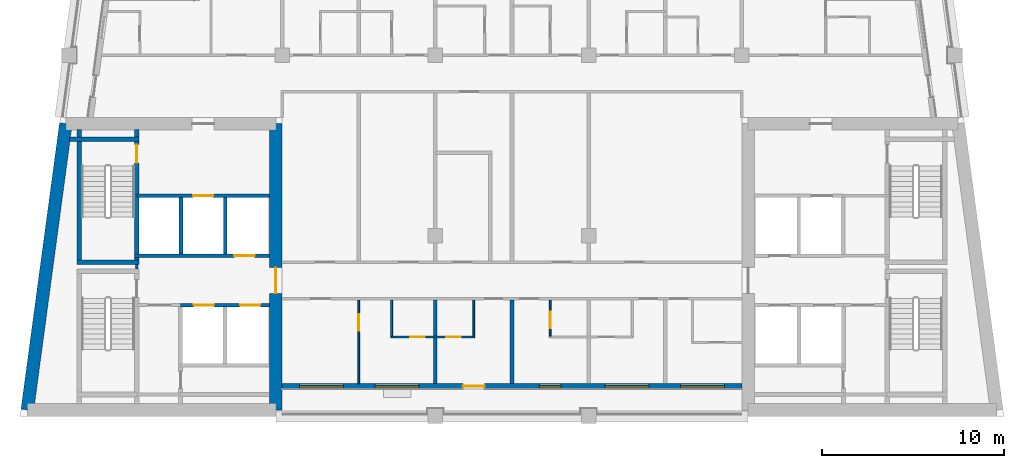
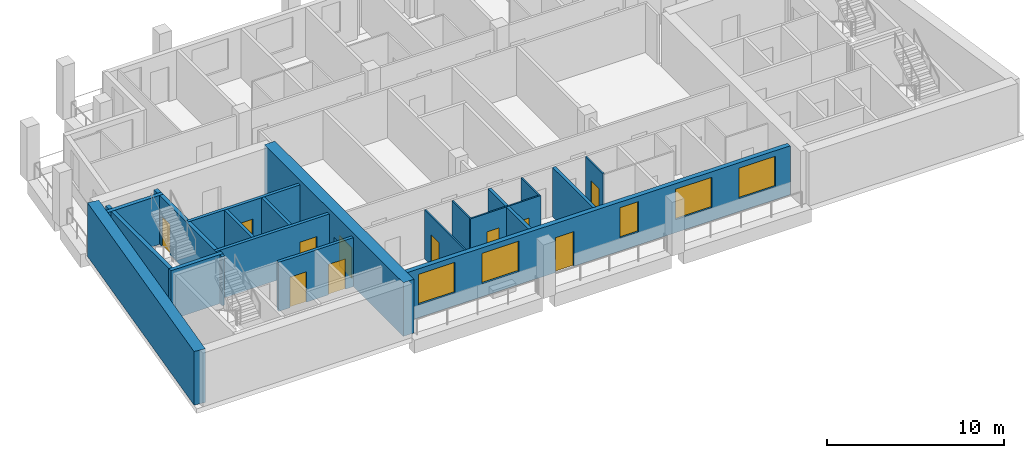
# One storey, part 2 of 10: 20 walls, 11 doors, 5 windows, 16 openings.
"""IFC4 building model written with IfcOpenShell, lengths in metres."""

from ifc_helpers import new_model, si_unit, direction, frame, frame_2d, origin, place, context, subcontext, project, spatial, rectangle, extrude, material, layer, layer_set, type_object, element, fill, save


model = new_model("IFC4")

# Units and contexts
model_context = context("Model", 3, precision=1e-05, world=origin(), true_north=direction((0.0, 1.0)))
body_context = subcontext(model_context, "Body", "Model", "MODEL_VIEW")
ifc_project = project(units=[si_unit("LENGTHUNIT", "METRE"), si_unit("AREAUNIT", "SQUARE_METRE"), si_unit("VOLUMEUNIT", "CUBIC_METRE"), si_unit("PLANEANGLEUNIT", "RADIAN"), si_unit("MASSUNIT", "GRAM", prefix="KILO")], contexts=[model_context])

# Site, building, storey
site_placement = place(None, origin())
site = spatial("IfcSite", under=ifc_project, at=site_placement, CompositionType="ELEMENT")
building_placement = place(site_placement, origin())
building = spatial("IfcBuilding", under=site, at=building_placement, Name="Candeia Pilgrim Tower and Theatre", CompositionType="ELEMENT")
storey_placement = place(building_placement, frame((0.0, 0.0, 292.300048828125)))
storey = spatial("IfcBuildingStorey", under=building, at=storey_placement, Name="L71", CompositionType="ELEMENT", Elevation=292.300048828125)

# Wall, opening, door
ifc_material_1 = material(Name="Concrete C40/50", Category="concrete")
ifc_layer_1 = layer(ifc_material_1, 0.699951171875)
ifc_layer_set_1 = layer_set([ifc_layer_1], Name="Core wall 700 C40/50")
wall_type_1 = type_object("IfcWallType", Name="Core wall 700 C40/50", PredefinedType="SHEAR", material=ifc_layer_set_1)
wall_1_placement = place(storey_placement, frame((100.449951171875, 132.050048828125, 0.0), z_axis=(0.0, 0.0, 1.0), x_axis=(0.0, -1.0, 0.0)))
wall_1 = element("IfcWall", 1, at=wall_1_placement, inside=storey, type_object=wall_type_1, Name="Core wall W2", PredefinedType="SHEAR", context=body_context, shape_type="SweptSolid", body=[
    extrude(rectangle(XDim=15.699951171875, YDim=0.699951171875, at=frame_2d((7.85009765625, 0.0))), origin(), (0.0, 0.0, 1.0), 3.699951171875),
])
opening_1_placement = place(wall_1_placement, frame((7.89990234375, 0.0, 0.0)))
opening_1 = element("IfcOpeningElement", 2, at=opening_1_placement, cuts=wall_1, Name="Opening L71-D045", PredefinedType="OPENING", context=body_context, shape_type="SweptSolid", body=[
    extrude(rectangle(XDim=1.39990234375, YDim=2.10009765625, at=frame_2d((0.699951171875, 1.050048828125))), frame((0.0, 0.35986328125, 0.0), z_axis=(0.0, -1.0, 0.0), x_axis=(1.0, 0.0, 0.0)), (0.0, 0.0, 1.0), 0.719970703125),
])
ifc_material_2 = material(Name="Steel fire door set", Category="steel")
door_type_1 = type_object("IfcDoorType", Name="D-1400-FD60", OperationType="NOTDEFINED", PredefinedType="DOOR", material=ifc_material_2)
door_1_placement = place(opening_1_placement, origin())
door_1 = element("IfcDoor", 3, at=door_1_placement, inside=storey, type_object=door_type_1, Name="Door L71-D045", OperationType="SINGLE_SWING_RIGHT", OverallHeight=2.10009765625, OverallWidth=1.39990234375, PredefinedType="DOOR", context=body_context, shape_type="SweptSolid", body=[
    extrude(rectangle(XDim=1.39990234375, YDim=2.10009765625, at=frame_2d((0.699951171875, 1.050048828125))), frame((0.0, 0.02490234375, 0.0), z_axis=(0.0, -1.0, 0.0), x_axis=(1.0, 0.0, 0.0)), (0.0, 0.0, 1.0), 0.050048828125),
])
fill(opening_1, door_1)

# Wall
wall_2_placement = place(storey_placement, frame((86.8232421875, 116.35009765625, 0.0), z_axis=(0.0, 0.0, 1.0), x_axis=(0.133416378607, 0.99106007382, 0.0)))
element("IfcWall", 4, at=wall_2_placement, inside=storey, type_object=wall_type_1, Name="Core wall W4", PredefinedType="SHEAR", context=body_context, shape_type="SweptSolid", body=[
    extrude(rectangle(XDim=15.841552734375, YDim=0.699951171875, at=frame_2d((7.9208984375, 0.0))), origin(), (0.0, 0.0, 1.0), 3.699951171875),
])

# Wall, openings, door, windows
ifc_material_3 = material(Name="Ceramic block masonry", Category="masonry")
ifc_layer_2 = layer(ifc_material_3, 0.300048828125)
ifc_layer_set_2 = layer_set([ifc_layer_2], Name="EW1 glazing-line wall 300")
wall_type_2 = type_object("IfcWallType", Name="EW1 glazing-line wall 300", PredefinedType="SOLIDWALL", material=ifc_layer_set_2)
wall_3_placement = place(storey_placement, frame((100.800048828125, 117.64990234375, 0.0), z_axis=(0.0, 0.0, 1.0), x_axis=(1.0, 0.0, 0.0)))
wall_3 = element("IfcWall", 5, at=wall_3_placement, inside=storey, type_object=wall_type_2, Name="External wall L71-1.0", PredefinedType="SOLIDWALL", context=body_context, shape_type="SweptSolid", body=[
    extrude(rectangle(XDim=25.199951171875, YDim=0.300048828125, at=frame_2d((12.60009765625, 0.0))), origin(), (0.0, 0.0, 1.0), 3.3798828125),
])
opening_2_placement = place(wall_3_placement, frame((0.949951171875, 0.0, 0.89990234375)))
opening_2 = element("IfcOpeningElement", 6, at=opening_2_placement, cuts=wall_3, Name="Opening W-A", PredefinedType="OPENING", context=body_context, shape_type="SweptSolid", body=[
    extrude(rectangle(XDim=2.39990234375, YDim=2.10009765625, at=frame_2d((1.199951171875, 1.050048828125))), frame((0.0, 0.16015625, 0.0), z_axis=(0.0, -1.0, 0.0), x_axis=(1.0, 0.0, 0.0)), (0.0, 0.0, 1.0), 0.320068359375),
])
opening_3_placement = place(wall_3_placement, frame((5.10009765625, 0.0, 0.89990234375)))
opening_3 = element("IfcOpeningElement", 7, at=opening_3_placement, cuts=wall_3, Name="Opening W-A", PredefinedType="OPENING", context=body_context, shape_type="SweptSolid", body=[
    extrude(rectangle(XDim=2.39990234375, YDim=2.10009765625, at=frame_2d((1.199951171875, 1.050048828125))), frame((0.0, 0.16015625, 0.0), z_axis=(0.0, -1.0, 0.0), x_axis=(1.0, 0.0, 0.0)), (0.0, 0.0, 1.0), 0.320068359375),
])
opening_4_placement = place(wall_3_placement, frame((9.89990234375, 0.0, 0.0)))
opening_4 = element("IfcOpeningElement", 8, at=opening_4_placement, cuts=wall_3, Name="Opening L71-ED661", PredefinedType="OPENING", context=body_context, shape_type="SweptSolid", body=[
    extrude(rectangle(XDim=1.199951171875, YDim=2.39990234375, at=frame_2d((0.60009765625, 1.199951171875))), frame((0.0, 0.16015625, 0.0), z_axis=(0.0, -1.0, 0.0), x_axis=(1.0, 0.0, 0.0)), (0.0, 0.0, 1.0), 0.320068359375),
])
opening_5_placement = place(wall_3_placement, frame((14.10009765625, 0.0, 0.89990234375)))
opening_5 = element("IfcOpeningElement", 9, at=opening_5_placement, cuts=wall_3, Name="Opening W-B", PredefinedType="OPENING", context=body_context, shape_type="SweptSolid", body=[
    extrude(rectangle(XDim=1.199951171875, YDim=2.10009765625, at=frame_2d((0.60009765625, 1.050048828125))), frame((0.0, 0.16015625, 0.0), z_axis=(0.0, -1.0, 0.0), x_axis=(1.0, 0.0, 0.0)), (0.0, 0.0, 1.0), 0.320068359375),
])
opening_6_placement = place(wall_3_placement, frame((17.699951171875, 0.0, 0.89990234375)))
opening_6 = element("IfcOpeningElement", 10, at=opening_6_placement, cuts=wall_3, Name="Opening W-A", PredefinedType="OPENING", context=body_context, shape_type="SweptSolid", body=[
    extrude(rectangle(XDim=2.39990234375, YDim=2.10009765625, at=frame_2d((1.199951171875, 1.050048828125))), frame((0.0, 0.16015625, 0.0), z_axis=(0.0, -1.0, 0.0), x_axis=(1.0, 0.0, 0.0)), (0.0, 0.0, 1.0), 0.320068359375),
])
opening_7_placement = place(wall_3_placement, frame((21.85009765625, 0.0, 0.89990234375)))
opening_7 = element("IfcOpeningElement", 11, at=opening_7_placement, cuts=wall_3, Name="Opening W-A", PredefinedType="OPENING", context=body_context, shape_type="SweptSolid", body=[
    extrude(rectangle(XDim=2.39990234375, YDim=2.10009765625, at=frame_2d((1.199951171875, 1.050048828125))), frame((0.0, 0.16015625, 0.0), z_axis=(0.0, -1.0, 0.0), x_axis=(1.0, 0.0, 0.0)), (0.0, 0.0, 1.0), 0.320068359375),
])
ifc_material_4 = material(Name="Aluminium framed glazed door", Category="aluminium")
door_type_2 = type_object("IfcDoorType", Name="Loggia door 1200x2400", OperationType="DOUBLE_DOOR_SINGLE_SWING", PredefinedType="DOOR", material=ifc_material_4)
door_2_placement = place(opening_4_placement, origin())
door_2 = element("IfcDoor", 12, at=door_2_placement, inside=storey, type_object=door_type_2, Name="Loggia door L71-ED661", OperationType="DOUBLE_DOOR_SINGLE_SWING", OverallHeight=2.39990234375, OverallWidth=1.199951171875, PredefinedType="DOOR", context=body_context, shape_type="SweptSolid", body=[
    extrude(rectangle(XDim=1.199951171875, YDim=2.39990234375, at=frame_2d((0.60009765625, 1.199951171875))), frame((0.0, 0.02490234375, 0.0), z_axis=(0.0, -1.0, 0.0), x_axis=(1.0, 0.0, 0.0)), (0.0, 0.0, 1.0), 0.050048828125),
])
fill(opening_4, door_2)
ifc_material_5 = material(Name="Aluminium framed double glazing", Category="aluminium")
window_type_1 = type_object("IfcWindowType", Name="W-A window 2400x2100", PartitioningType="DOUBLE_PANEL_VERTICAL", PredefinedType="WINDOW", material=ifc_material_5)
window_1_placement = place(opening_2_placement, origin())
window_1 = element("IfcWindow", 13, at=window_1_placement, inside=storey, type_object=window_type_1, Name="Window W-A L71", OverallHeight=2.10009765625, OverallWidth=2.39990234375, PartitioningType="SINGLE_PANEL", PredefinedType="WINDOW", context=body_context, shape_type="SweptSolid", body=[
    extrude(rectangle(XDim=2.39990234375, YDim=2.10009765625, at=frame_2d((1.199951171875, 1.050048828125))), frame((0.0, 0.030029296875, 0.0), z_axis=(0.0, -1.0, 0.0), x_axis=(1.0, 0.0, 0.0)), (0.0, 0.0, 1.0), 0.06005859375),
])
fill(opening_2, window_1)
window_2_placement = place(opening_3_placement, origin())
window_2 = element("IfcWindow", 14, at=window_2_placement, inside=storey, type_object=window_type_1, Name="Window W-A L71", OverallHeight=2.10009765625, OverallWidth=2.39990234375, PartitioningType="SINGLE_PANEL", PredefinedType="WINDOW", context=body_context, shape_type="SweptSolid", body=[
    extrude(rectangle(XDim=2.39990234375, YDim=2.10009765625, at=frame_2d((1.199951171875, 1.050048828125))), frame((0.0, 0.030029296875, 0.0), z_axis=(0.0, -1.0, 0.0), x_axis=(1.0, 0.0, 0.0)), (0.0, 0.0, 1.0), 0.06005859375),
])
fill(opening_3, window_2)
window_3_placement = place(opening_6_placement, origin())
window_3 = element("IfcWindow", 15, at=window_3_placement, inside=storey, type_object=window_type_1, Name="Window W-A L71", OverallHeight=2.10009765625, OverallWidth=2.39990234375, PartitioningType="SINGLE_PANEL", PredefinedType="WINDOW", context=body_context, shape_type="SweptSolid", body=[
    extrude(rectangle(XDim=2.39990234375, YDim=2.10009765625, at=frame_2d((1.199951171875, 1.050048828125))), frame((0.0, 0.030029296875, 0.0), z_axis=(0.0, -1.0, 0.0), x_axis=(1.0, 0.0, 0.0)), (0.0, 0.0, 1.0), 0.06005859375),
])
fill(opening_6, window_3)
window_4_placement = place(opening_7_placement, origin())
window_4 = element("IfcWindow", 16, at=window_4_placement, inside=storey, type_object=window_type_1, Name="Window W-A L71", OverallHeight=2.10009765625, OverallWidth=2.39990234375, PartitioningType="SINGLE_PANEL", PredefinedType="WINDOW", context=body_context, shape_type="SweptSolid", body=[
    extrude(rectangle(XDim=2.39990234375, YDim=2.10009765625, at=frame_2d((1.199951171875, 1.050048828125))), frame((0.0, 0.030029296875, 0.0), z_axis=(0.0, -1.0, 0.0), x_axis=(1.0, 0.0, 0.0)), (0.0, 0.0, 1.0), 0.06005859375),
])
fill(opening_7, window_4)
window_type_2 = type_object("IfcWindowType", Name="W-B window 1200x2100", PartitioningType="SINGLE_PANEL", PredefinedType="WINDOW", material=ifc_material_5)
window_5_placement = place(opening_5_placement, origin())
window_5 = element("IfcWindow", 17, at=window_5_placement, inside=storey, type_object=window_type_2, Name="Window W-B L71", OverallHeight=2.10009765625, OverallWidth=1.199951171875, PartitioningType="SINGLE_PANEL", PredefinedType="WINDOW", context=body_context, shape_type="SweptSolid", body=[
    extrude(rectangle(XDim=1.199951171875, YDim=2.10009765625, at=frame_2d((0.60009765625, 1.050048828125))), frame((0.0, 0.030029296875, 0.0), z_axis=(0.0, -1.0, 0.0), x_axis=(1.0, 0.0, 0.0)), (0.0, 0.0, 1.0), 0.06005859375),
])
fill(opening_5, window_5)

# Wall, openings, doors
ifc_material_6 = material(Name="Gypsum board partition on steel studs", Category="steel")
ifc_layer_3 = layer(ifc_material_6, 0.10009765625)
ifc_layer_set_3 = layer_set([ifc_layer_3], Name="PW-100 room partition")
wall_type_3 = type_object("IfcWallType", Name="PW-100 room partition", PredefinedType="PARTITIONING", material=ifc_layer_set_3)
wall_4_placement = place(storey_placement, frame((106.75, 120.35009765625, 0.0), z_axis=(0.0, 0.0, 1.0), x_axis=(1.0, 0.0, 0.0)))
wall_4 = element("IfcWall", 18, at=wall_4_placement, inside=storey, type_object=wall_type_3, Name="Room partition L71-010", PredefinedType="PARTITIONING", context=body_context, shape_type="SweptSolid", body=[
    extrude(rectangle(XDim=4.60009765625, YDim=0.10009765625, at=frame_2d((2.300048828125, 0.0))), origin(), (0.0, 0.0, 1.0), 3.3798828125),
])
opening_8_placement = place(wall_4_placement, frame((1.074951171875, 0.0, 0.0)))
opening_8 = element("IfcOpeningElement", 19, at=opening_8_placement, cuts=wall_4, Name="Opening L71-D011", PredefinedType="OPENING", context=body_context, shape_type="SweptSolid", body=[
    extrude(rectangle(XDim=0.800048828125, YDim=2.10009765625, at=frame_2d((0.39990234375, 1.050048828125))), frame((0.0, 0.06005859375, 0.0), z_axis=(0.0, -1.0, 0.0), x_axis=(1.0, 0.0, 0.0)), (0.0, 0.0, 1.0), 0.1201171875),
])
opening_9_placement = place(wall_4_placement, frame((3.0400390625, 0.0, 0.0)))
opening_9 = element("IfcOpeningElement", 20, at=opening_9_placement, cuts=wall_4, Name="Opening L71-D013", PredefinedType="OPENING", context=body_context, shape_type="SweptSolid", body=[
    extrude(rectangle(XDim=0.800048828125, YDim=2.10009765625, at=frame_2d((0.39990234375, 1.050048828125))), frame((0.0, 0.06005859375, 0.0), z_axis=(0.0, -1.0, 0.0), x_axis=(1.0, 0.0, 0.0)), (0.0, 0.0, 1.0), 0.1201171875),
])
ifc_material_7 = material(Name="Timber door leaf", Category="wood")
door_type_3 = type_object("IfcDoorType", Name="D-800", OperationType="NOTDEFINED", PredefinedType="DOOR", material=ifc_material_7)
door_3_placement = place(opening_8_placement, origin())
door_3 = element("IfcDoor", 21, at=door_3_placement, inside=storey, type_object=door_type_3, Name="Door L71-D011", OperationType="SINGLE_SWING_RIGHT", OverallHeight=2.10009765625, OverallWidth=0.800048828125, PredefinedType="DOOR", context=body_context, shape_type="SweptSolid", body=[
    extrude(rectangle(XDim=0.800048828125, YDim=2.10009765625, at=frame_2d((0.39990234375, 1.050048828125))), frame((0.0, 0.02490234375, 0.0), z_axis=(0.0, -1.0, 0.0), x_axis=(1.0, 0.0, 0.0)), (0.0, 0.0, 1.0), 0.050048828125),
])
fill(opening_8, door_3)
door_4_placement = place(opening_9_placement, origin())
door_4 = element("IfcDoor", 22, at=door_4_placement, inside=storey, type_object=door_type_3, Name="Door L71-D013", OperationType="SINGLE_SWING_RIGHT", OverallHeight=2.10009765625, OverallWidth=0.800048828125, PredefinedType="DOOR", context=body_context, shape_type="SweptSolid", body=[
    extrude(rectangle(XDim=0.800048828125, YDim=2.10009765625, at=frame_2d((0.39990234375, 1.050048828125))), frame((0.0, 0.02490234375, 0.0), z_axis=(0.0, -1.0, 0.0), x_axis=(1.0, 0.0, 0.0)), (0.0, 0.0, 1.0), 0.050048828125),
])
fill(opening_9, door_4)

# Wall, opening, door
wall_5_placement = place(storey_placement, frame((105.0, 117.7900390625, 0.0), z_axis=(0.0, 0.0, 1.0), x_axis=(0.0, 1.0, 0.0)))
wall_5 = element("IfcWall", 23, at=wall_5_placement, inside=storey, type_object=wall_type_3, Name="Room partition L71-054", PredefinedType="PARTITIONING", context=body_context, shape_type="SweptSolid", body=[
    extrude(rectangle(XDim=4.5849609375, YDim=0.10009765625, at=frame_2d((2.29248046875, 0.0))), origin(), (0.0, 0.0, 1.0), 3.3798828125),
])
opening_10_placement = place(wall_5_placement, frame((2.907958984375, 0.0, 0.0)))
opening_10 = element("IfcOpeningElement", 24, at=opening_10_placement, cuts=wall_5, Name="Opening L71-D010", PredefinedType="OPENING", context=body_context, shape_type="SweptSolid", body=[
    extrude(rectangle(XDim=0.89990234375, YDim=2.10009765625, at=frame_2d((0.449951171875, 1.050048828125))), frame((0.0, 0.06005859375, 0.0), z_axis=(0.0, -1.0, 0.0), x_axis=(1.0, 0.0, 0.0)), (0.0, 0.0, 1.0), 0.1201171875),
])
door_type_4 = type_object("IfcDoorType", Name="D-900", OperationType="NOTDEFINED", PredefinedType="DOOR", material=ifc_material_7)
door_5_placement = place(opening_10_placement, origin())
door_5 = element("IfcDoor", 25, at=door_5_placement, inside=storey, type_object=door_type_4, Name="Door L71-D010", OperationType="SINGLE_SWING_LEFT", OverallHeight=2.10009765625, OverallWidth=0.89990234375, PredefinedType="DOOR", context=body_context, shape_type="SweptSolid", body=[
    extrude(rectangle(XDim=0.89990234375, YDim=2.10009765625, at=frame_2d((0.449951171875, 1.050048828125))), frame((0.0, 0.02490234375, 0.0), z_axis=(0.0, -1.0, 0.0), x_axis=(1.0, 0.0, 0.0)), (0.0, 0.0, 1.0), 0.050048828125),
])
fill(opening_10, door_5)

# Walls
for number, where, z_axis, x_axis, name in (
    (26, (106.800048828125, 120.39990234375, 0.0), (0.0, 0.0, 1.0), (0.0, 1.0, 0.0), "Room partition L71-057"),
    (27, (111.300048828125, 120.39990234375, 0.0), (0.0, 0.0, 1.0), (0.0, 1.0, 0.0), "Room partition L71-062"),
):
    element("IfcWall", number, at=place(storey_placement, frame(where, z_axis=z_axis, x_axis=x_axis)), inside=storey, type_object=wall_type_3, Name=name, PredefinedType="PARTITIONING", context=body_context, shape_type="SweptSolid", body=[
        extrude(rectangle(XDim=1.97509765625, YDim=0.10009765625, at=frame_2d((0.987548828125, 0.0))), origin(), (0.0, 0.0, 1.0), 3.3798828125),
    ])

# Wall, opening, door
wall_6_placement = place(storey_placement, frame((115.5, 120.39990234375, 0.0), z_axis=(0.0, 0.0, 1.0), x_axis=(0.0, 1.0, 0.0)))
wall_6 = element("IfcWall", 28, at=wall_6_placement, inside=storey, type_object=wall_type_3, Name="Room partition L71-068", PredefinedType="PARTITIONING", context=body_context, shape_type="SweptSolid", body=[
    extrude(rectangle(XDim=1.97509765625, YDim=0.10009765625, at=frame_2d((0.987548828125, 0.0))), origin(), (0.0, 0.0, 1.0), 3.3798828125),
])
opening_11_placement = place(wall_6_placement, frame((0.425048828125, 0.0, 0.0)))
opening_11 = element("IfcOpeningElement", 29, at=opening_11_placement, cuts=wall_6, Name="Opening L71-D015", PredefinedType="OPENING", context=body_context, shape_type="SweptSolid", body=[
    extrude(rectangle(XDim=0.89990234375, YDim=2.10009765625, at=frame_2d((0.449951171875, 1.050048828125))), frame((0.0, 0.06005859375, 0.0), z_axis=(0.0, -1.0, 0.0), x_axis=(1.0, 0.0, 0.0)), (0.0, 0.0, 1.0), 0.1201171875),
])
door_6_placement = place(opening_11_placement, origin())
door_6 = element("IfcDoor", 30, at=door_6_placement, inside=storey, type_object=door_type_4, Name="Door L71-D015", OperationType="SINGLE_SWING_RIGHT", OverallHeight=2.10009765625, OverallWidth=0.89990234375, PredefinedType="DOOR", context=body_context, shape_type="SweptSolid", body=[
    extrude(rectangle(XDim=0.89990234375, YDim=2.10009765625, at=frame_2d((0.449951171875, 1.050048828125))), frame((0.0, 0.02490234375, 0.0), z_axis=(0.0, -1.0, 0.0), x_axis=(1.0, 0.0, 0.0)), (0.0, 0.0, 1.0), 0.050048828125),
])
fill(opening_11, door_6)

# Walls
ifc_layer_4 = layer(ifc_material_6, 0.14990234375)
ifc_layer_set_4 = layer_set([ifc_layer_4], Name="PW-150 lobby wall")
wall_type_4 = type_object("IfcWallType", Name="PW-150 lobby wall", PredefinedType="PARTITIONING", material=ifc_layer_set_4)
wall_7_placement = place(storey_placement, frame((92.826904296875, 124.074951171875, 0.0), z_axis=(0.0, 0.0, 1.0), x_axis=(0.0, 1.0, 0.0)))
element("IfcWall", 31, at=wall_7_placement, inside=storey, type_object=wall_type_4, Name="Lobby wall L71-042", PredefinedType="PARTITIONING", context=body_context, shape_type="SweptSolid", body=[
    extrude(rectangle(XDim=0.25, YDim=0.14990234375, at=frame_2d((0.125, 0.0))), origin(), (0.0, 0.0, 1.0), 3.3798828125),
])
ifc_layer_5 = layer(ifc_material_6, 0.199951171875)
ifc_layer_set_5 = layer_set([ifc_layer_5], Name="PW-200 party wall")
wall_type_5 = type_object("IfcWallType", Name="PW-200 party wall", PredefinedType="PARTITIONING", material=ifc_layer_set_5)
for number, where, z_axis, x_axis, name in (
    (32, (109.199951171875, 117.7900390625, 0.0), (0.0, 0.0, 1.0), (0.0, 1.0, 0.0), "Party wall L71-059"),
    (33, (113.39990234375, 117.7900390625, 0.0), (0.0, 0.0, 1.0), (0.0, 1.0, 0.0), "Party wall L71-065"),
):
    element("IfcWall", number, at=place(storey_placement, frame(where, z_axis=z_axis, x_axis=x_axis)), inside=storey, type_object=wall_type_5, Name=name, PredefinedType="PARTITIONING", context=body_context, shape_type="SweptSolid", body=[
        extrude(rectangle(XDim=4.5849609375, YDim=0.199951171875, at=frame_2d((2.29248046875, 0.0))), origin(), (0.0, 0.0, 1.0), 3.3798828125),
    ])

# Wall, openings, doors
ifc_layer_6 = layer(ifc_material_1, 0.199951171875)
ifc_layer_set_6 = layer_set([ifc_layer_6], Name="SW-200 shaft wall")
wall_type_6 = type_object("IfcWallType", Name="SW-200 shaft wall", PredefinedType="PARTITIONING", material=ifc_layer_set_6)
wall_8_placement = place(storey_placement, frame((95.22705078125, 122.10009765625, 0.0), z_axis=(0.0, 0.0, 1.0), x_axis=(1.0, 0.0, 0.0)))
wall_8 = element("IfcWall", 34, at=wall_8_placement, inside=storey, type_object=wall_type_6, Name="Shaft wall L71-012", PredefinedType="PARTITIONING", context=body_context, shape_type="SweptSolid", body=[
    extrude(rectangle(XDim=4.873046875, YDim=0.199951171875, at=frame_2d((2.4365234375, 0.0))), origin(), (0.0, 0.0, 1.0), 3.3798828125),
])
opening_12_placement = place(wall_8_placement, frame((0.73193359375, 0.0, 0.0)))
opening_12 = element("IfcOpeningElement", 35, at=opening_12_placement, cuts=wall_8, Name="Opening L71-LD01", PredefinedType="OPENING", context=body_context, shape_type="SweptSolid", body=[
    extrude(rectangle(XDim=1.10009765625, YDim=2.10009765625, at=frame_2d((0.550048828125, 1.050048828125))), frame((0.0, 0.10986328125, 0.0), z_axis=(0.0, -1.0, 0.0), x_axis=(1.0, 0.0, 0.0)), (0.0, 0.0, 1.0), 0.219970703125),
])
opening_13_placement = place(wall_8_placement, frame((3.263916015625, 0.0, 0.0)))
opening_13 = element("IfcOpeningElement", 36, at=opening_13_placement, cuts=wall_8, Name="Opening L71-LD02", PredefinedType="OPENING", context=body_context, shape_type="SweptSolid", body=[
    extrude(rectangle(XDim=1.10009765625, YDim=2.10009765625, at=frame_2d((0.550048828125, 1.050048828125))), frame((0.0, 0.10986328125, 0.0), z_axis=(0.0, -1.0, 0.0), x_axis=(1.0, 0.0, 0.0)), (0.0, 0.0, 1.0), 0.219970703125),
])
ifc_material_8 = material(Name="Glazed aluminium landing door", Category="aluminium")
door_type_5 = type_object("IfcDoorType", Name="LD-1100-EI120", OperationType="SLIDING_TO_LEFT", PredefinedType="DOOR", material=ifc_material_8)
door_7_placement = place(opening_12_placement, origin())
door_7 = element("IfcDoor", 37, at=door_7_placement, inside=storey, type_object=door_type_5, Name="Landing door 01 L71", OperationType="SLIDING_TO_LEFT", OverallHeight=2.10009765625, OverallWidth=1.10009765625, PredefinedType="DOOR", context=body_context, shape_type="SweptSolid", body=[
    extrude(rectangle(XDim=1.10009765625, YDim=2.10009765625, at=frame_2d((0.550048828125, 1.050048828125))), frame((0.0, 0.02490234375, 0.0), z_axis=(0.0, -1.0, 0.0), x_axis=(1.0, 0.0, 0.0)), (0.0, 0.0, 1.0), 0.050048828125),
])
fill(opening_12, door_7)
door_8_placement = place(opening_13_placement, origin())
door_8 = element("IfcDoor", 38, at=door_8_placement, inside=storey, type_object=door_type_5, Name="Landing door 02 L71", OperationType="SLIDING_TO_LEFT", OverallHeight=2.10009765625, OverallWidth=1.10009765625, PredefinedType="DOOR", context=body_context, shape_type="SweptSolid", body=[
    extrude(rectangle(XDim=1.10009765625, YDim=2.10009765625, at=frame_2d((0.550048828125, 1.050048828125))), frame((0.0, 0.02490234375, 0.0), z_axis=(0.0, -1.0, 0.0), x_axis=(1.0, 0.0, 0.0)), (0.0, 0.0, 1.0), 0.050048828125),
])
fill(opening_13, door_8)

# Wall, opening, door
wall_9_placement = place(storey_placement, frame((92.701904296875, 124.800048828125, 0.0), z_axis=(0.0, 0.0, 1.0), x_axis=(1.0, 0.0, 0.0)))
wall_9 = element("IfcWall", 39, at=wall_9_placement, inside=storey, type_object=wall_type_6, Name="Shaft wall L71-022", PredefinedType="PARTITIONING", context=body_context, shape_type="SweptSolid", body=[
    extrude(rectangle(XDim=7.398193359375, YDim=0.199951171875, at=frame_2d((3.69921875, 0.0))), origin(), (0.0, 0.0, 1.0), 3.3798828125),
])
opening_14_placement = place(wall_9_placement, frame((5.47998046875, 0.0, 0.0)))
opening_14 = element("IfcOpeningElement", 40, at=opening_14_placement, cuts=wall_9, Name="Opening L71-LD04", PredefinedType="OPENING", context=body_context, shape_type="SweptSolid", body=[
    extrude(rectangle(XDim=1.10009765625, YDim=2.10009765625, at=frame_2d((0.550048828125, 1.050048828125))), frame((0.0, 0.10986328125, 0.0), z_axis=(0.0, -1.0, 0.0), x_axis=(1.0, 0.0, 0.0)), (0.0, 0.0, 1.0), 0.219970703125),
])
door_9_placement = place(opening_14_placement, origin())
door_9 = element("IfcDoor", 41, at=door_9_placement, inside=storey, type_object=door_type_5, Name="Landing door 04 L71", OperationType="SLIDING_TO_LEFT", OverallHeight=2.10009765625, OverallWidth=1.10009765625, PredefinedType="DOOR", context=body_context, shape_type="SweptSolid", body=[
    extrude(rectangle(XDim=1.10009765625, YDim=2.10009765625, at=frame_2d((0.550048828125, 1.050048828125))), frame((0.0, 0.02490234375, 0.0), z_axis=(0.0, -1.0, 0.0), x_axis=(1.0, 0.0, 0.0)), (0.0, 0.0, 1.0), 0.050048828125),
])
fill(opening_14, door_9)

wall_10_placement = place(storey_placement, frame((92.826904296875, 128.10009765625, 0.0), z_axis=(0.0, 0.0, 1.0), x_axis=(1.0, 0.0, 0.0)))
wall_10 = element("IfcWall", 42, at=wall_10_placement, inside=storey, type_object=wall_type_6, Name="Shaft wall L71-025", PredefinedType="PARTITIONING", context=body_context, shape_type="SweptSolid", body=[
    extrude(rectangle(XDim=7.273193359375, YDim=0.199951171875, at=frame_2d((3.63671875, 0.0))), origin(), (0.0, 0.0, 1.0), 3.3798828125),
])
opening_15_placement = place(wall_10_placement, frame((3.0859375, 0.0, 0.0)))
opening_15 = element("IfcOpeningElement", 43, at=opening_15_placement, cuts=wall_10, Name="Opening L71-LD03", PredefinedType="OPENING", context=body_context, shape_type="SweptSolid", body=[
    extrude(rectangle(XDim=1.10009765625, YDim=2.10009765625, at=frame_2d((0.550048828125, 1.050048828125))), frame((0.0, 0.10986328125, 0.0), z_axis=(0.0, -1.0, 0.0), x_axis=(1.0, 0.0, 0.0)), (0.0, 0.0, 1.0), 0.219970703125),
])
door_10_placement = place(opening_15_placement, origin())
door_10 = element("IfcDoor", 44, at=door_10_placement, inside=storey, type_object=door_type_5, Name="Landing door 03 L71", OperationType="SLIDING_TO_LEFT", OverallHeight=2.10009765625, OverallWidth=1.10009765625, PredefinedType="DOOR", context=body_context, shape_type="SweptSolid", body=[
    extrude(rectangle(XDim=1.10009765625, YDim=2.10009765625, at=frame_2d((0.550048828125, 1.050048828125))), frame((0.0, 0.02490234375, 0.0), z_axis=(0.0, -1.0, 0.0), x_axis=(1.0, 0.0, 0.0)), (0.0, 0.0, 1.0), 0.050048828125),
])
fill(opening_15, door_10)

# Walls
for number, where, z_axis, x_axis, name in (
    (45, (95.251220703125, 124.89990234375, 0.0), (0.0, 0.0, 1.0), (0.0, 1.0, 0.0), "Shaft wall L71-047"),
    (46, (97.67578125, 124.89990234375, 0.0), (0.0, 0.0, 1.0), (0.0, 1.0, 0.0), "Shaft wall L71-050"),
):
    element("IfcWall", number, at=place(storey_placement, frame(where, z_axis=z_axis, x_axis=x_axis)), inside=storey, type_object=wall_type_6, Name=name, PredefinedType="PARTITIONING", context=body_context, shape_type="SweptSolid", body=[
        extrude(rectangle(XDim=3.10009765625, YDim=0.199951171875, at=frame_2d((1.550048828125, 0.0))), origin(), (0.0, 0.0, 1.0), 3.3798828125),
    ])
ifc_layer_7 = layer(ifc_material_1, 0.25)
ifc_layer_set_7 = layer_set([ifc_layer_7], Name="SW-250 stair wall")
wall_type_7 = type_object("IfcWallType", Name="SW-250 stair wall", PredefinedType="PARTITIONING", material=ifc_layer_set_7)
wall_11_placement = place(storey_placement, frame((89.552001953125, 124.449951171875, 0.0), z_axis=(0.0, 0.0, 1.0), x_axis=(1.0, 0.0, 0.0)))
element("IfcWall", 47, at=wall_11_placement, inside=storey, type_object=wall_type_7, Name="Stair wall L71-019", PredefinedType="PARTITIONING", context=body_context, shape_type="SweptSolid", body=[
    extrude(rectangle(XDim=3.39990234375, YDim=0.25, at=frame_2d((1.699951171875, 0.0))), origin(), (0.0, 0.0, 1.0), 3.3798828125),
])
wall_12_placement = place(storey_placement, frame((89.1455078125, 131.199951171875, 0.0), z_axis=(0.0, 0.0, 1.0), x_axis=(1.0, 0.0, 0.0)))
element("IfcWall", 48, at=wall_12_placement, inside=storey, type_object=wall_type_7, Name="Stair wall L71-029", PredefinedType="PARTITIONING", context=body_context, shape_type="SweptSolid", body=[
    extrude(rectangle(XDim=3.806396484375, YDim=0.25, at=frame_2d((1.9033203125, 0.0))), origin(), (0.0, 0.0, 1.0), 3.3798828125),
])
wall_13_placement = place(storey_placement, frame((89.677001953125, 124.574951171875, 0.0), z_axis=(0.0, 0.0, 1.0), x_axis=(0.0, 1.0, 0.0)))
element("IfcWall", 49, at=wall_13_placement, inside=storey, type_object=wall_type_7, Name="Stair wall L71-041", PredefinedType="PARTITIONING", context=body_context, shape_type="SweptSolid", body=[
    extrude(rectangle(XDim=7.155029296875, YDim=0.25, at=frame_2d((3.57763671875, 0.0))), origin(), (0.0, 0.0, 1.0), 3.3798828125),
])

# Wall, opening, door
wall_14_placement = place(storey_placement, frame((92.826904296875, 124.574951171875, 0.0), z_axis=(0.0, 0.0, 1.0), x_axis=(0.0, 1.0, 0.0)))
wall_14 = element("IfcWall", 50, at=wall_14_placement, inside=storey, type_object=wall_type_7, Name="Stair wall L71-044", PredefinedType="PARTITIONING", context=body_context, shape_type="SweptSolid", body=[
    extrude(rectangle(XDim=7.155029296875, YDim=0.25, at=frame_2d((3.57763671875, 0.0))), origin(), (0.0, 0.0, 1.0), 3.3798828125),
])
opening_16_placement = place(wall_14_placement, frame((5.324951171875, 0.0, 0.0)))
opening_16 = element("IfcOpeningElement", 51, at=opening_16_placement, cuts=wall_14, Name="Opening L71-D003", PredefinedType="OPENING", context=body_context, shape_type="SweptSolid", body=[
    extrude(rectangle(XDim=1.0, YDim=2.10009765625, at=frame_2d((0.5, 1.050048828125))), frame((0.0, 0.135009765625, 0.0), z_axis=(0.0, -1.0, 0.0), x_axis=(1.0, 0.0, 0.0)), (0.0, 0.0, 1.0), 0.27001953125),
])
door_type_6 = type_object("IfcDoorType", Name="D-1000-FD60", OperationType="NOTDEFINED", PredefinedType="DOOR", material=ifc_material_2)
door_11_placement = place(opening_16_placement, origin())
door_11 = element("IfcDoor", 52, at=door_11_placement, inside=storey, type_object=door_type_6, Name="Door L71-D003", OperationType="SINGLE_SWING_RIGHT", OverallHeight=2.10009765625, OverallWidth=1.0, PredefinedType="DOOR", context=body_context, shape_type="SweptSolid", body=[
    extrude(rectangle(XDim=1.0, YDim=2.10009765625, at=frame_2d((0.5, 1.050048828125))), frame((0.0, 0.02490234375, 0.0), z_axis=(0.0, -1.0, 0.0), x_axis=(1.0, 0.0, 0.0)), (0.0, 0.0, 1.0), 0.050048828125),
])
fill(opening_16, door_11)

save(model, "model.ifc")
